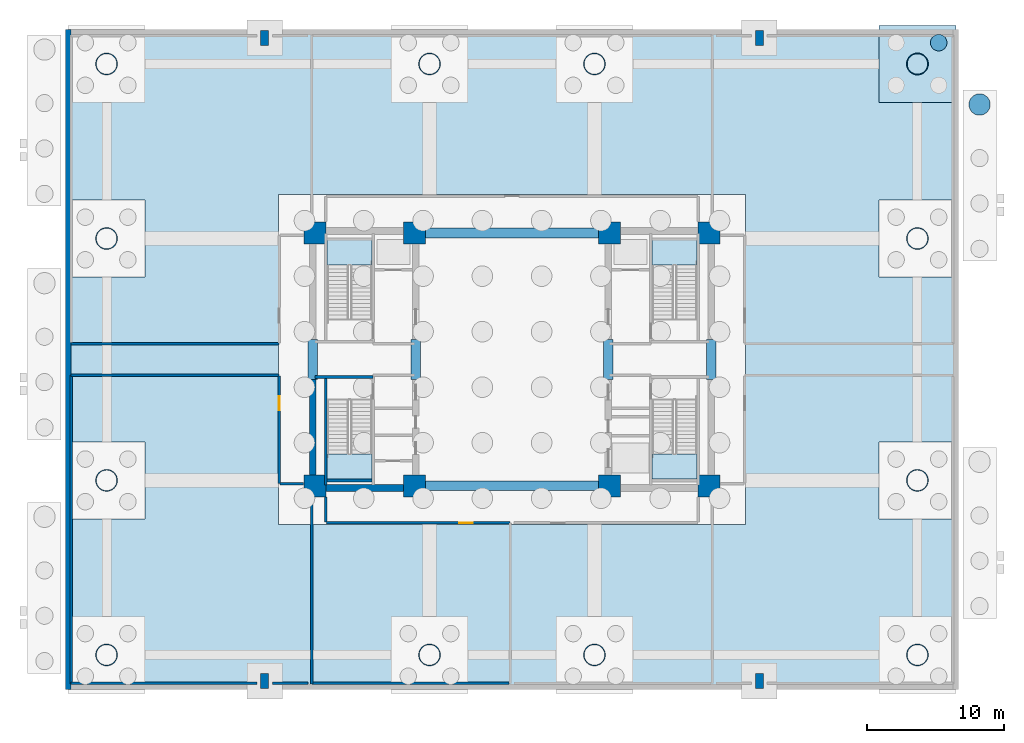
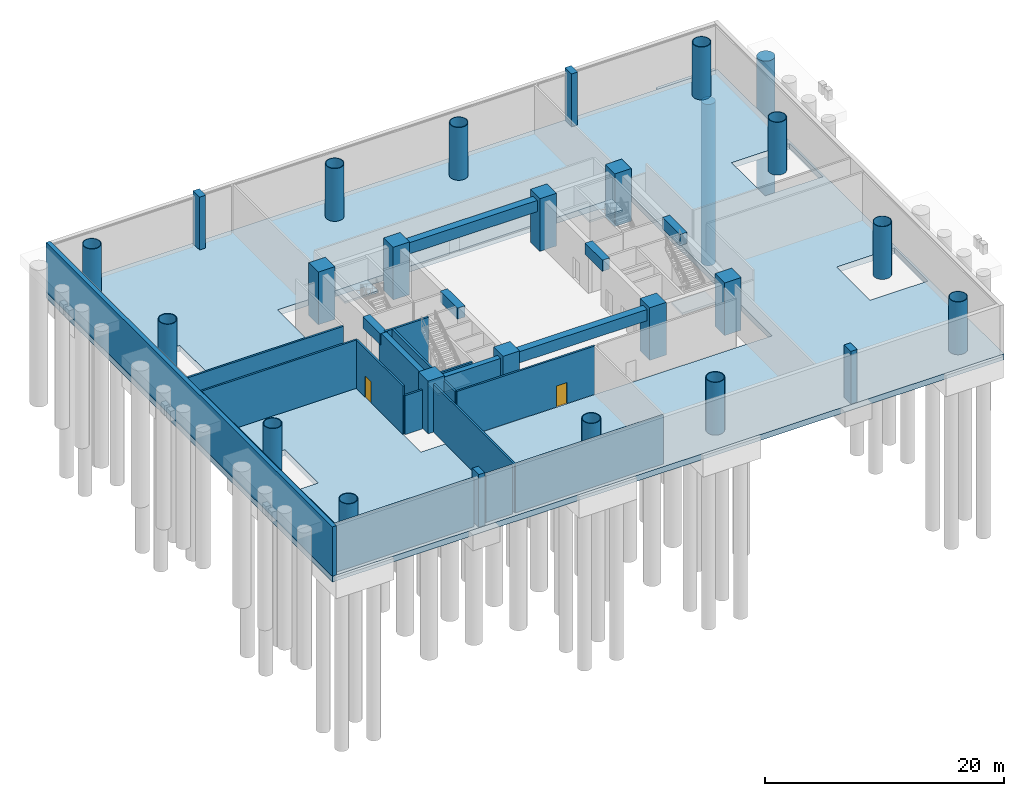
# One storey, part 2 of 7: 24 columns, 17 walls, 6 beams, 5 slabs, 2 doors, 2 piles, 1 footing, 2 openings, 4 elements without a shape of their own.
"""IFC4 building model written with IfcOpenShell, lengths in metres."""

from ifc_helpers import new_model, si_unit, direction, frame, frame_2d, origin, origin_2d, place, context, subcontext, project, spatial, polyline, rectangle, circle, hollow_circle, outline, extrude, source, transform, mapped, material, layer, layer_set, material_profile, profile_set, type_object, element, fill, aggregate, save


model = new_model("IFC4")

# Units and contexts
model_context = context("Model", 3, precision=1e-05, world=origin(), true_north=direction((0.0, 1.0)))
body_context = subcontext(model_context, "Body", "Model", "MODEL_VIEW")
ifc_project = project(units=[si_unit("LENGTHUNIT", "METRE"), si_unit("AREAUNIT", "SQUARE_METRE"), si_unit("VOLUMEUNIT", "CUBIC_METRE"), si_unit("PLANEANGLEUNIT", "RADIAN"), si_unit("MASSUNIT", "GRAM", prefix="KILO")], contexts=[model_context])

# Site, building, storey
site_placement = place(None, origin())
site = spatial("IfcSite", under=ifc_project, at=site_placement, CompositionType="ELEMENT")
building_placement = place(site_placement, origin())
building = spatial("IfcBuilding", under=site, at=building_placement, Name="Zahravan Cultural Tower", CompositionType="ELEMENT")
storey_placement = place(building_placement, frame((0.0, 0.0, -5.39990234375)))
storey = spatial("IfcBuildingStorey", under=building, at=storey_placement, Name="B1", CompositionType="ELEMENT", Elevation=-5.39990234375)

# Piles
ifc_material_1 = material(Name="Concrete C45/55", Category="concrete")
ifc_material_profile_1 = material_profile(ifc_material_1, circle(Radius=0.60009765625, at=origin_2d()), Name="PILE-D1200")
ifc_profile_set_1 = profile_set([ifc_material_profile_1], Name="Concrete C45/55")
pile_type_1 = type_object("IfcPileType", Name="PILE-BORED-1200", PredefinedType="BORED", material=ifc_profile_set_1)
pile_1_placement = place(storey_placement, frame((67.050048828125, 50.050048828125, -2.10009765625), z_axis=(0.0, 0.0, -1.0), x_axis=(1.0, 0.0, 0.0)))
element("IfcPile", 1, at=pile_1_placement, inside=storey, type_object=pile_type_1, Name="Cap Bored Pile C48", PredefinedType="BORED", context=body_context, shape_type="SweptSolid", body=[
    extrude(circle(Radius=0.60009765625, at=origin_2d()), origin(), (0.0, 0.0, 1.0), 16.5),
])
ifc_material_profile_2 = material_profile(ifc_material_1, circle(Radius=0.77490234375, at=origin_2d()), Name="PILE-D1550")
ifc_profile_set_2 = profile_set([ifc_material_profile_2], Name="Concrete C45/55")
pile_type_2 = type_object("IfcPileType", Name="PILE-BORED-1550", PredefinedType="BORED", material=ifc_profile_set_2)
pile_2_placement = place(storey_placement, frame((70.02001953125, 45.550048828125, 4.14990234375), z_axis=(0.0, 0.0, -1.0), x_axis=(1.0, 0.0, 0.0)))
element("IfcPile", 2, at=pile_2_placement, inside=storey, type_object=pile_type_2, Name="Ramp Flight Cap Pile RMP-5-4", PredefinedType="BORED", context=body_context, shape_type="SweptSolid", body=[
    extrude(circle(Radius=0.77490234375, at=origin_2d()), origin(), (0.0, 0.0, 1.0), 14.0),
])

# Footing
ifc_material_2 = material(Name="Concrete C50/60", Category="concrete")
ifc_layer_1 = layer(ifc_material_2, 2.199951171875)
ifc_layer_set_1 = layer_set([ifc_layer_1], Name="Concrete C50/60")
footing_type = type_object("IfcFootingType", Name="FT-PC-5600X2200", PredefinedType="PILE_CAP", material=ifc_layer_set_1)
shared_shape_1 = source(origin(), body_context, "Body", "SweptSolid", [
    extrude(rectangle(XDim=5.60009765625, YDim=5.60009765625, at=origin_2d()), origin(), (0.0, 0.0, 1.0), 2.199951171875),
])
footing_placement = place(storey_placement, frame((65.5, 48.5, -2.2001953125), z_axis=(0.0, 0.0, 1.0), x_axis=(1.0, 0.0, 0.0)))
element("IfcFooting", 3, at=footing_placement, inside=storey, type_object=footing_type, Name="Pilotis Combined Pile Cap PC-12", PredefinedType="PILE_CAP", context=body_context, shape_type="MappedRepresentation", body=[
    mapped(shared_shape_1, transform((0.0, 0.0, 0.0), x_axis=(1.0, 0.0, 0.0), y_axis=(0.0, 1.0, 0.0), z_axis=(0.0, 0.0, 1.0), scale=1.0)),
])

# Columns
ifc_material_3 = material(Name="Concrete C60/75", Category="concrete")
ifc_material_profile_3 = material_profile(ifc_material_3, rectangle(XDim=1.60009765625, YDim=1.60009765625, at=origin_2d()), Name="RC1600X1600")
ifc_profile_set_3 = profile_set([ifc_material_profile_3], Name="Concrete C60/75")
column_type_1 = type_object("IfcColumnType", Name="COL-RC1600", PredefinedType="COLUMN", material=ifc_profile_set_3)
shared_shape_2 = source(origin(), body_context, "Body", "SweptSolid", [
    extrude(rectangle(XDim=1.60009765625, YDim=1.60009765625, at=origin_2d()), origin(), (0.0, 0.0, 1.0), 5.39990234375),
])
for number, where, z_axis, x_axis, name in (
    (4, (21.64990234375, 17.800048828125, 0.0), (0.0, 0.0, 1.0), (1.0, 0.0, 0.0), "B1 Column CC-W1"),
    (5, (28.89990234375, 17.800048828125, 0.0), (0.0, 0.0, 1.0), (1.0, 0.0, 0.0), "B1 Column CC-W2"),
    (6, (21.64990234375, 36.199951171875, 0.0), (0.0, 0.0, 1.0), (1.0, 0.0, 0.0), "B1 Column CC-W3"),
    (7, (28.89990234375, 36.199951171875, 0.0), (0.0, 0.0, 1.0), (1.0, 0.0, 0.0), "B1 Column CC-W4"),
    (8, (43.10009765625, 17.800048828125, 0.0), (0.0, 0.0, 1.0), (1.0, 0.0, 0.0), "B1 Column CC-E1"),
    (9, (50.35009765625, 17.800048828125, 0.0), (0.0, 0.0, 1.0), (1.0, 0.0, 0.0), "B1 Column CC-E2"),
    (10, (43.10009765625, 36.199951171875, 0.0), (0.0, 0.0, 1.0), (1.0, 0.0, 0.0), "B1 Column CC-E3"),
    (11, (50.35009765625, 36.199951171875, 0.0), (0.0, 0.0, 1.0), (1.0, 0.0, 0.0), "B1 Column CC-E4"),
):
    element("IfcColumn", number, at=place(storey_placement, frame(where, z_axis=z_axis, x_axis=x_axis)), inside=storey, type_object=column_type_1, Name=name, PredefinedType="COLUMN", context=body_context, shape_type="MappedRepresentation", body=[
        mapped(shared_shape_2, transform((0.0, 0.0, 0.0), x_axis=(1.0, 0.0, 0.0), y_axis=(0.0, 1.0, 0.0), z_axis=(0.0, 0.0, 1.0), scale=1.0)),
    ])
ifc_material_4 = material(Name="Steel ASTM A572 Grade 50", Category="steel")
ifc_material_profile_4 = material_profile(ifc_material_4, hollow_circle(Radius=0.800048828125, WallThickness=0.06005859375, at=origin_2d()), Name="CHS1600X60")
ifc_profile_set_4 = profile_set([ifc_material_profile_4], Name="Steel ASTM A572 Grade 50")
column_type_2 = type_object("IfcColumnType", Name="COL-STILT-1600", PredefinedType="COLUMN", material=ifc_profile_set_4)
shared_shape_3 = source(origin(), body_context, "Body", "SweptSolid", [
    extrude(hollow_circle(Radius=0.800048828125, WallThickness=0.06005859375, at=origin_2d()), origin(), (0.0, 0.0, 1.0), 5.39990234375),
])
for number, where, z_axis, x_axis, name in (
    (12, (6.5, 5.5, 0.0), (0.0, 0.0, 1.0), (1.0, 0.0, 0.0), "B1 Column PC-01"),
    (13, (30.0, 5.5, 0.0), (0.0, 0.0, 1.0), (1.0, 0.0, 0.0), "B1 Column PC-02"),
    (14, (42.0, 5.5, 0.0), (0.0, 0.0, 1.0), (1.0, 0.0, 0.0), "B1 Column PC-03"),
    (15, (65.5, 5.5, 0.0), (0.0, 0.0, 1.0), (1.0, 0.0, 0.0), "B1 Column PC-04"),
    (16, (6.5, 18.199951171875, 0.0), (0.0, 0.0, 1.0), (1.0, 0.0, 0.0), "B1 Column PC-05"),
    (17, (65.5, 18.199951171875, 0.0), (0.0, 0.0, 1.0), (1.0, 0.0, 0.0), "B1 Column PC-06"),
    (18, (6.5, 35.800048828125, 0.0), (0.0, 0.0, 1.0), (1.0, 0.0, 0.0), "B1 Column PC-07"),
    (19, (65.5, 35.800048828125, 0.0), (0.0, 0.0, 1.0), (1.0, 0.0, 0.0), "B1 Column PC-08"),
    (20, (6.5, 48.5, 0.0), (0.0, 0.0, 1.0), (1.0, 0.0, 0.0), "B1 Column PC-09"),
    (21, (30.0, 48.5, 0.0), (0.0, 0.0, 1.0), (1.0, 0.0, 0.0), "B1 Column PC-10"),
    (22, (42.0, 48.5, 0.0), (0.0, 0.0, 1.0), (1.0, 0.0, 0.0), "B1 Column PC-11"),
    (23, (65.5, 48.5, 0.0), (0.0, 0.0, 1.0), (1.0, 0.0, 0.0), "B1 Column PC-12"),
):
    element("IfcColumn", number, at=place(storey_placement, frame(where, z_axis=z_axis, x_axis=x_axis)), inside=storey, type_object=column_type_2, Name=name, PredefinedType="COLUMN", context=body_context, shape_type="MappedRepresentation", body=[
        mapped(shared_shape_3, transform((0.0, 0.0, 0.0), x_axis=(1.0, 0.0, 0.0), y_axis=(0.0, 1.0, 0.0), z_axis=(0.0, 0.0, 1.0), scale=1.0)),
    ])
ifc_material_profile_5 = material_profile(ifc_material_2, rectangle(XDim=0.60009765625, YDim=1.10009765625, at=origin_2d()), Name="RC600X1100")
ifc_profile_set_5 = profile_set([ifc_material_profile_5], Name="Concrete C50/60")
column_type_3 = type_object("IfcColumnType", Name="PIL-RC600X1100", PredefinedType="PILASTER", material=ifc_profile_set_5)
shared_shape_4 = source(origin(), body_context, "Body", "SweptSolid", [
    extrude(rectangle(XDim=0.60009765625, YDim=1.10009765625, at=origin_2d()), origin(), (0.0, 0.0, 1.0), 5.39990234375),
])
for number, where, z_axis, x_axis, name in (
    (24, (18.0, 3.60009765625, 0.0), (0.0, 0.0, 1.0), (1.0, 0.0, 0.0), "B1 Engaged Pilaster S1"),
    (25, (54.0, 3.60009765625, 0.0), (0.0, 0.0, 1.0), (1.0, 0.0, 0.0), "B1 Engaged Pilaster S2"),
    (26, (18.0, 50.39990234375, 0.0), (0.0, 0.0, 1.0), (1.0, 0.0, 0.0), "B1 Engaged Pilaster N1"),
    (27, (54.0, 50.39990234375, 0.0), (0.0, 0.0, 1.0), (1.0, 0.0, 0.0), "B1 Engaged Pilaster N2"),
):
    element("IfcColumn", number, at=place(storey_placement, frame(where, z_axis=z_axis, x_axis=x_axis)), inside=storey, type_object=column_type_3, Name=name, PredefinedType="PILASTER", context=body_context, shape_type="MappedRepresentation", body=[
        mapped(shared_shape_4, transform((0.0, 0.0, 0.0), x_axis=(1.0, 0.0, 0.0), y_axis=(0.0, 1.0, 0.0), z_axis=(0.0, 0.0, 1.0), scale=1.0)),
    ])

# Beams
ifc_material_profile_6 = material_profile(ifc_material_2, rectangle(XDim=0.699951171875, YDim=1.14990234375, at=origin_2d()), Name="RC700X1150")
ifc_profile_set_6 = profile_set([ifc_material_profile_6], Name="Concrete C50/60")
beam_type = type_object("IfcBeamType", Name="BM-LN-RC700X1150", PredefinedType="LINTEL", material=ifc_profile_set_6)
shared_shape_5 = source(origin(), body_context, "Body", "SweptSolid", [
    extrude(rectangle(XDim=0.699951171875, YDim=1.14990234375, at=origin_2d()), origin(), (0.0, 0.0, 1.0), 14.2001953125),
])
for number, where, z_axis, x_axis, name in (
    (28, (28.89990234375, 17.800048828125, 4.375), (1.0, 0.0, 0.0), (0.0, 1.0, 0.0), "B1 Beam LN-B1-S"),
    (29, (28.89990234375, 36.199951171875, 4.375), (1.0, 0.0, 0.0), (0.0, 1.0, 0.0), "B1 Beam LN-B1-N"),
):
    element("IfcBeam", number, at=place(storey_placement, frame(where, z_axis=z_axis, x_axis=x_axis)), inside=storey, type_object=beam_type, Name=name, PredefinedType="LINTEL", context=body_context, shape_type="MappedRepresentation", body=[
        mapped(shared_shape_5, transform((0.0, 0.0, 0.0), x_axis=(1.0, 0.0, 0.0), y_axis=(0.0, 1.0, 0.0), z_axis=(0.0, 0.0, 1.0), scale=1.0)),
    ])
shared_shape_6 = source(origin(), body_context, "Body", "SweptSolid", [
    extrude(rectangle(XDim=0.699951171875, YDim=1.14990234375, at=origin_2d()), origin(), (0.0, 0.0, 1.0), 2.89990234375),
])
for number, where, z_axis, x_axis, name in (
    (30, (21.5, 25.550048828125, 4.375), (0.0, 1.0, 0.0), (-1.0, 0.0, 0.0), "B1 Beam LN-B1-PWW"),
    (31, (29.0, 25.550048828125, 4.375), (0.0, 1.0, 0.0), (-1.0, 0.0, 0.0), "B1 Beam LN-B1-PWE"),
    (32, (43.0, 25.550048828125, 4.375), (0.0, 1.0, 0.0), (-1.0, 0.0, 0.0), "B1 Beam LN-B1-PEW"),
    (33, (50.5, 25.550048828125, 4.375), (0.0, 1.0, 0.0), (-1.0, 0.0, 0.0), "B1 Beam LN-B1-PEE"),
):
    element("IfcBeam", number, at=place(storey_placement, frame(where, z_axis=z_axis, x_axis=x_axis)), inside=storey, type_object=beam_type, Name=name, PredefinedType="LINTEL", context=body_context, shape_type="MappedRepresentation", body=[
        mapped(shared_shape_6, transform((0.0, 0.0, 0.0), x_axis=(1.0, 0.0, 0.0), y_axis=(0.0, 1.0, 0.0), z_axis=(0.0, 0.0, 1.0), scale=1.0)),
    ])

# Slab
ifc_layer_2 = layer(ifc_material_2, 0.60009765625)
ifc_layer_set_2 = layer_set([ifc_layer_2], Name="Concrete C50/60")
slab_type_1 = type_object("IfcSlabType", Name="SL-BASE-600", PredefinedType="BASESLAB", material=ifc_layer_set_2)
slab_1_placement = place(storey_placement, frame((0.0, 0.0, -0.60009765625)))
element("IfcSlab", 34, at=slab_1_placement, inside=storey, type_object=slab_type_1, Name="B1 Conservation Basement Base Slab", PredefinedType="BASESLAB", context=body_context, shape_type="SweptSolid", body=[
    extrude(outline(polyline([(68.5, 3.0), (68.5, 51.0), (3.5, 51.0), (3.5, 3.0), (68.5, 3.0)]), holes=[polyline([(9.300048828125, 21.0), (3.699951171875, 21.0), (3.699951171875, 15.39990234375), (9.300048828125, 15.39990234375), (9.300048828125, 21.0)]), polyline([(53.0, 39.0), (19.0, 39.0), (19.0, 15.0), (53.0, 15.0), (53.0, 39.0)]), polyline([(9.300048828125, 38.60009765625), (3.699951171875, 38.60009765625), (3.699951171875, 33.0), (9.300048828125, 33.0), (9.300048828125, 38.60009765625)]), polyline([(68.300048828125, 21.0), (62.699951171875, 21.0), (62.699951171875, 15.39990234375), (68.300048828125, 15.39990234375), (68.300048828125, 21.0)]), polyline([(68.300048828125, 38.60009765625), (62.699951171875, 38.60009765625), (62.699951171875, 33.0), (68.300048828125, 33.0), (68.300048828125, 38.60009765625)])]), origin(), (0.0, 0.0, 1.0), 0.60009765625),
])

# Stair, slab
stair_type = type_object("IfcStairType", Name="STR-DL-1550-540", PredefinedType="HALF_TURN_STAIR", material=ifc_material_1)
stair_1_placement = place(storey_placement, origin())
stair_1 = element("IfcStair", 35, at=stair_1_placement, inside=storey, type_object=stair_type, Name="B1 West Core North Exit Stair ST-W1", PredefinedType="HALF_TURN_STAIR")
ifc_layer_3 = layer(ifc_material_1, 0.199951171875)
ifc_layer_set_3 = layer_set([ifc_layer_3], Name="Concrete C45/55")
slab_type_2 = type_object("IfcSlabType", Name="SL-STAIR-LND200", PredefinedType="LANDING", material=ifc_layer_set_3)
slab_2_placement = place(storey_placement, frame((0.0, 0.0, 2.5)))
slab_2 = element("IfcSlab", 36, at=slab_2_placement, type_object=slab_type_2, Name="ST-W1 landing 1", PredefinedType="LANDING", context=body_context, shape_type="SweptSolid", body=[
    extrude(outline(polyline([(25.800048828125, 33.8701171875), (25.800048828125, 35.699951171875), (22.550048828125, 35.699951171875), (22.550048828125, 33.8701171875), (25.800048828125, 33.8701171875)])), origin(), (0.0, 0.0, 1.0), 0.199951171875),
])
aggregate(stair_1, [slab_2])

stair_2_placement = place(storey_placement, origin())
stair_2 = element("IfcStair", 37, at=stair_2_placement, inside=storey, type_object=stair_type, Name="B1 West Core South Exit Stair ST-W2", PredefinedType="HALF_TURN_STAIR")
slab_3_placement = place(storey_placement, frame((0.0, 0.0, 2.5)))
slab_3 = element("IfcSlab", 38, at=slab_3_placement, type_object=slab_type_2, Name="ST-W2 landing 1", PredefinedType="LANDING", context=body_context, shape_type="SweptSolid", body=[
    extrude(outline(polyline([(22.550048828125, 20.1298828125), (22.550048828125, 18.300048828125), (25.800048828125, 18.300048828125), (25.800048828125, 20.1298828125), (22.550048828125, 20.1298828125)])), origin(), (0.0, 0.0, 1.0), 0.199951171875),
])
aggregate(stair_2, [slab_3])

stair_3_placement = place(storey_placement, origin())
stair_3 = element("IfcStair", 39, at=stair_3_placement, inside=storey, type_object=stair_type, Name="B1 East Core North Exit Stair ST-E1", PredefinedType="HALF_TURN_STAIR")
slab_4_placement = place(storey_placement, frame((0.0, 0.0, 2.5)))
slab_4 = element("IfcSlab", 40, at=slab_4_placement, type_object=slab_type_2, Name="ST-E1 landing 1", PredefinedType="LANDING", context=body_context, shape_type="SweptSolid", body=[
    extrude(outline(polyline([(49.449951171875, 33.8701171875), (49.449951171875, 35.699951171875), (46.199951171875, 35.699951171875), (46.199951171875, 33.8701171875), (49.449951171875, 33.8701171875)])), origin(), (0.0, 0.0, 1.0), 0.199951171875),
])
aggregate(stair_3, [slab_4])

stair_4_placement = place(storey_placement, origin())
stair_4 = element("IfcStair", 41, at=stair_4_placement, inside=storey, type_object=stair_type, Name="B1 East Core South Exit Stair ST-E2", PredefinedType="HALF_TURN_STAIR")
slab_5_placement = place(storey_placement, frame((0.0, 0.0, 2.5)))
slab_5 = element("IfcSlab", 42, at=slab_5_placement, type_object=slab_type_2, Name="ST-E2 landing 1", PredefinedType="LANDING", context=body_context, shape_type="SweptSolid", body=[
    extrude(outline(polyline([(46.199951171875, 20.1298828125), (46.199951171875, 18.300048828125), (49.449951171875, 18.300048828125), (49.449951171875, 20.1298828125), (46.199951171875, 20.1298828125)])), origin(), (0.0, 0.0, 1.0), 0.199951171875),
])
aggregate(stair_4, [slab_5])

# Wall, opening, door
ifc_material_5 = material(Name="Gypsum plasterboard partition")
ifc_layer_4 = layer(ifc_material_5, 0.179931640625)
ifc_layer_set_4 = layer_set([ifc_layer_4], Name="Gypsum plasterboard partition")
wall_type_1 = type_object("IfcWallType", Name="W-COMP-180", PredefinedType="PARTITIONING", material=ifc_layer_set_4)
wall_1_placement = place(storey_placement, frame((22.490966796875, 15.11181640625, 0.0), z_axis=(0.0, 0.0, 1.0), x_axis=(0.99999999183, -0.000127830532, 0.0)))
wall_1 = element("IfcWall", 43, at=wall_1_placement, inside=storey, type_object=wall_type_1, Name="B1 Interior Wall 030", PredefinedType="PARTITIONING", context=body_context, shape_type="SweptSolid", body=[
    extrude(rectangle(XDim=13.369140625, YDim=0.179931640625, at=frame_2d((6.6845703125, 0.0))), origin(), (0.0, 0.0, 1.0), 4.949951171875),
])
opening_1_placement = place(wall_1_placement, frame((9.661865234375, 0.0, 0.0)))
opening_1 = element("IfcOpeningElement", 44, at=opening_1_placement, cuts=wall_1, Name="Opening D-B1-16", PredefinedType="OPENING", context=body_context, shape_type="SweptSolid", body=[
    extrude(rectangle(XDim=1.0, YDim=2.14990234375, at=frame_2d((0.5, 1.074951171875))), frame((0.0, 0.099853515625, 0.0), z_axis=(0.0, -1.0, 0.0), x_axis=(1.0, 0.0, 0.0)), (0.0, 0.0, 1.0), 0.199951171875),
])
door_type = type_object("IfcDoorType", Name="DR-COMP-1000", OperationType="NOTDEFINED", PredefinedType="DOOR", material=ifc_material_4)
shared_shape_7 = source(origin(), body_context, "Body", "SweptSolid", [
    extrude(rectangle(XDim=1.0, YDim=2.14990234375, at=frame_2d((0.5, 1.074951171875))), frame((0.0, 0.02490234375, 0.0), z_axis=(0.0, -1.0, 0.0), x_axis=(1.0, 0.0, 0.0)), (0.0, 0.0, 1.0), 0.050048828125),
])
door_1_placement = place(opening_1_placement, origin())
door_1 = element("IfcDoor", 45, at=door_1_placement, inside=storey, type_object=door_type, Name="B1 Door D-B1-16", OperationType="SINGLE_SWING_LEFT", OverallHeight=2.14990234375, OverallWidth=1.0, PredefinedType="DOOR", context=body_context, shape_type="MappedRepresentation", body=[
    mapped(shared_shape_7, transform((0.0, 0.0, 0.0), x_axis=(1.0, 0.0, 0.0), y_axis=(0.0, 1.0, 0.0), z_axis=(0.0, 0.0, 1.0), scale=1.0)),
])
fill(opening_1, door_1)

wall_2_placement = place(storey_placement, frame((19.06005859375, 25.800048828125, 0.0), z_axis=(0.0, 0.0, 1.0), x_axis=(0.000250109415, -0.999999968723, 0.0)))
wall_2 = element("IfcWall", 46, at=wall_2_placement, inside=storey, type_object=wall_type_1, Name="B1 Interior Wall 048", PredefinedType="PARTITIONING", context=body_context, shape_type="SweptSolid", body=[
    extrude(rectangle(XDim=7.80908203125, YDim=0.179931640625, at=frame_2d((3.904541015625, 0.0))), origin(), (0.0, 0.0, 1.0), 4.949951171875),
])
opening_2_placement = place(wall_2_placement, frame((1.48388671875, 0.0, 0.0)))
opening_2 = element("IfcOpeningElement", 47, at=opening_2_placement, cuts=wall_2, Name="Opening D-B1-13", PredefinedType="OPENING", context=body_context, shape_type="SweptSolid", body=[
    extrude(rectangle(XDim=1.0, YDim=2.14990234375, at=frame_2d((0.5, 1.074951171875))), frame((0.0, 0.099853515625, 0.0), z_axis=(0.0, -1.0, 0.0), x_axis=(1.0, 0.0, 0.0)), (0.0, 0.0, 1.0), 0.199951171875),
])
door_2_placement = place(opening_2_placement, origin())
door_2 = element("IfcDoor", 48, at=door_2_placement, inside=storey, type_object=door_type, Name="B1 Door D-B1-13", OperationType="SINGLE_SWING_RIGHT", OverallHeight=2.14990234375, OverallWidth=1.0, PredefinedType="DOOR", context=body_context, shape_type="MappedRepresentation", body=[
    mapped(shared_shape_7, transform((0.0, 0.0, 0.0), x_axis=(1.0, 0.0, 0.0), y_axis=(0.0, 1.0, 0.0), z_axis=(0.0, 0.0, 1.0), scale=1.0)),
])
fill(opening_2, door_2)

# Walls
ifc_layer_5 = layer(ifc_material_2, 0.39990234375)
ifc_layer_set_5 = layer_set([ifc_layer_5], Name="Concrete C50/60")
wall_type_2 = type_object("IfcWallType", Name="W-RET-400-C50", PredefinedType="SHEAR", material=ifc_layer_set_5)
shared_shape_8 = source(origin(), body_context, "Body", "SweptSolid", [
    extrude(rectangle(XDim=48.0, YDim=0.39990234375, at=frame_2d((24.0, 0.0))), origin(), (0.0, 0.0, 1.0), 5.0498046875),
])
wall_3_placement = place(storey_placement, frame((3.699951171875, 3.0, 0.0), z_axis=(0.0, 0.0, 1.0), x_axis=(0.0, 1.0, 0.0)))
element("IfcWall", 49, at=wall_3_placement, inside=storey, type_object=wall_type_2, Name="B1 Retaining Wall CW-B1-RET-W", PredefinedType="SHEAR", context=body_context, shape_type="MappedRepresentation", body=[
    mapped(shared_shape_8, transform((0.0, 0.0, 0.0), x_axis=(1.0, 0.0, 0.0), y_axis=(0.0, 1.0, 0.0), z_axis=(0.0, 0.0, 1.0), scale=1.0)),
])
ifc_layer_6 = layer(ifc_material_3, 0.5)
ifc_layer_set_6 = layer_set([ifc_layer_6], Name="Concrete C60/75")
wall_type_3 = type_object("IfcWallType", Name="CW-SHEAR-500-C60", PredefinedType="SHEAR", material=ifc_layer_set_6)
shared_shape_9 = source(origin(), body_context, "Body", "SweptSolid", [
    extrude(rectangle(XDim=8.550048828125, YDim=0.5, at=frame_2d((4.27490234375, 0.0))), origin(), (0.0, 0.0, 1.0), 4.949951171875),
])
wall_4_placement = place(storey_placement, frame((21.5, 17.39990234375, 0.0), z_axis=(0.0, 0.0, 1.0), x_axis=(0.0, 1.0, 0.0)))
element("IfcWall", 50, at=wall_4_placement, inside=storey, type_object=wall_type_3, Name="B1 Core Shear Wall CW-W-WS-B1", PredefinedType="SHEAR", context=body_context, shape_type="MappedRepresentation", body=[
    mapped(shared_shape_9, transform((0.0, 0.0, 0.0), x_axis=(1.0, 0.0, 0.0), y_axis=(0.0, 1.0, 0.0), z_axis=(0.0, 0.0, 1.0), scale=1.0)),
])
shared_shape_10 = source(origin(), body_context, "Body", "SweptSolid", [
    extrude(rectangle(XDim=7.0, YDim=0.5, at=frame_2d((3.5, 0.0))), origin(), (0.0, 0.0, 1.0), 4.949951171875),
])
wall_5_placement = place(storey_placement, frame((21.75, 17.64990234375, 0.0), z_axis=(0.0, 0.0, 1.0), x_axis=(1.0, 0.0, 0.0)))
element("IfcWall", 51, at=wall_5_placement, inside=storey, type_object=wall_type_3, Name="B1 Core Shear Wall CW-W-S-B1", PredefinedType="SHEAR", context=body_context, shape_type="MappedRepresentation", body=[
    mapped(shared_shape_10, transform((0.0, 0.0, 0.0), x_axis=(1.0, 0.0, 0.0), y_axis=(0.0, 1.0, 0.0), z_axis=(0.0, 0.0, 1.0), scale=1.0)),
])
ifc_layer_7 = layer(ifc_material_1, 0.199951171875)
ifc_layer_set_7 = layer_set([ifc_layer_7], Name="Concrete C45/55")
wall_type_4 = type_object("IfcWallType", Name="W-SHAFT-200", PredefinedType="SOLIDWALL", material=ifc_layer_set_7)
shared_shape_11 = source(origin(), body_context, "Body", "SweptSolid", [
    extrude(rectangle(XDim=7.869873046875, YDim=0.199951171875, at=frame_2d((3.93505859375, 0.0))), origin(), (0.0, 0.0, 1.0), 4.949951171875),
])
wall_6_placement = place(storey_placement, frame((22.449951171875, 17.85009765625, 0.0), z_axis=(0.0, 0.0, 1.0), x_axis=(0.0, 1.0, 0.0)))
element("IfcWall", 52, at=wall_6_placement, inside=storey, type_object=wall_type_4, Name="B1 Interior Wall 001", PredefinedType="SOLIDWALL", context=body_context, shape_type="MappedRepresentation", body=[
    mapped(shared_shape_11, transform((0.0, 0.0, 0.0), x_axis=(1.0, 0.0, 0.0), y_axis=(0.0, 1.0, 0.0), z_axis=(0.0, 0.0, 1.0), scale=1.0)),
])
shared_shape_12 = source(origin(), body_context, "Body", "SweptSolid", [
    extrude(rectangle(XDim=4.25, YDim=0.199951171875, at=frame_2d((2.125, 0.0))), origin(), (0.0, 0.0, 1.0), 4.949951171875),
])
wall_7_placement = place(storey_placement, frame((21.64990234375, 25.715087890625, 0.0), z_axis=(0.0, 0.0, 1.0), x_axis=(1.0, 0.0, 0.0)))
element("IfcWall", 53, at=wall_7_placement, inside=storey, type_object=wall_type_4, Name="B1 Interior Wall 009", PredefinedType="SOLIDWALL", context=body_context, shape_type="MappedRepresentation", body=[
    mapped(shared_shape_12, transform((0.0, 0.0, 0.0), x_axis=(1.0, 0.0, 0.0), y_axis=(0.0, 1.0, 0.0), z_axis=(0.0, 0.0, 1.0), scale=1.0)),
])
shared_shape_13 = source(origin(), body_context, "Body", "SweptSolid", [
    extrude(rectangle(XDim=3.25, YDim=0.199951171875, at=frame_2d((1.625, 0.0))), origin(), (0.0, 0.0, 1.0), 4.949951171875),
])
wall_8_placement = place(storey_placement, frame((22.550048828125, 18.199951171875, 0.0), z_axis=(0.0, 0.0, 1.0), x_axis=(1.0, 0.0, 0.0)))
element("IfcWall", 54, at=wall_8_placement, inside=storey, type_object=wall_type_4, Name="B1 Interior Wall 019", PredefinedType="SOLIDWALL", context=body_context, shape_type="MappedRepresentation", body=[
    mapped(shared_shape_13, transform((0.0, 0.0, 0.0), x_axis=(1.0, 0.0, 0.0), y_axis=(0.0, 1.0, 0.0), z_axis=(0.0, 0.0, 1.0), scale=1.0)),
])
shared_shape_14 = source(origin(), body_context, "Body", "SweptSolid", [
    extrude(rectangle(XDim=1.823974609375, YDim=0.179931640625, at=frame_2d((0.912109375, 0.0))), origin(), (0.0, 0.0, 1.0), 4.949951171875),
])
wall_9_placement = place(storey_placement, frame((22.4599609375, 16.97998046875, 0.0), z_axis=(0.0, 0.0, 1.0), x_axis=(0.0, -1.0, 0.0)))
element("IfcWall", 55, at=wall_9_placement, inside=storey, type_object=wall_type_1, Name="B1 Interior Wall 029", PredefinedType="PARTITIONING", context=body_context, shape_type="MappedRepresentation", body=[
    mapped(shared_shape_14, transform((0.0, 0.0, 0.0), x_axis=(1.0, 0.0, 0.0), y_axis=(0.0, 1.0, 0.0), z_axis=(0.0, 0.0, 1.0), scale=1.0)),
])
shared_shape_15 = source(origin(), body_context, "Body", "SweptSolid", [
    extrude(rectangle(XDim=14.324951171875, YDim=0.179931640625, at=frame_2d((7.16259765625, 0.0))), origin(), (0.0, 0.0, 1.0), 4.949951171875),
])
wall_10_placement = place(storey_placement, frame((35.764892578125, 3.43994140625, 0.0), z_axis=(0.0, 0.0, 1.0), x_axis=(-1.0, 0.0, 0.0)))
element("IfcWall", 56, at=wall_10_placement, inside=storey, type_object=wall_type_1, Name="B1 Interior Wall 032", PredefinedType="PARTITIONING", context=body_context, shape_type="MappedRepresentation", body=[
    mapped(shared_shape_15, transform((0.0, 0.0, 0.0), x_axis=(1.0, 0.0, 0.0), y_axis=(0.0, 1.0, 0.0), z_axis=(0.0, 0.0, 1.0), scale=1.0)),
])
shared_shape_16 = source(origin(), body_context, "Body", "SweptSolid", [
    extrude(rectangle(XDim=13.580078125, YDim=0.179931640625, at=frame_2d((6.7900390625, 0.0))), origin(), (0.0, 0.0, 1.0), 4.949951171875),
])
wall_11_placement = place(storey_placement, frame((21.43994140625, 3.39990234375, 0.0), z_axis=(0.0, 0.0, 1.0), x_axis=(0.0, 1.0, 0.0)))
element("IfcWall", 57, at=wall_11_placement, inside=storey, type_object=wall_type_1, Name="B1 Interior Wall 033", PredefinedType="PARTITIONING", context=body_context, shape_type="MappedRepresentation", body=[
    mapped(shared_shape_16, transform((0.0, 0.0, 0.0), x_axis=(1.0, 0.0, 0.0), y_axis=(0.0, 1.0, 0.0), z_axis=(0.0, 0.0, 1.0), scale=1.0)),
])
shared_shape_17 = source(origin(), body_context, "Body", "SweptSolid", [
    extrude(rectangle(XDim=2.58984375, YDim=0.179931640625, at=frame_2d((1.294921875, 0.0))), origin(), (0.0, 0.0, 1.0), 4.949951171875),
])
wall_12_placement = place(storey_placement, frame((21.159912109375, 3.43994140625, 0.0), z_axis=(0.0, 0.0, 1.0), x_axis=(-1.0, 0.0, 0.0)))
element("IfcWall", 58, at=wall_12_placement, inside=storey, type_object=wall_type_1, Name="B1 Interior Wall 044", PredefinedType="PARTITIONING", context=body_context, shape_type="MappedRepresentation", body=[
    mapped(shared_shape_17, transform((0.0, 0.0, 0.0), x_axis=(1.0, 0.0, 0.0), y_axis=(0.0, 1.0, 0.0), z_axis=(0.0, 0.0, 1.0), scale=1.0)),
])
shared_shape_18 = source(origin(), body_context, "Body", "SweptSolid", [
    extrude(rectangle(XDim=13.530029296875, YDim=0.179931640625, at=frame_2d((6.76513671875, 0.0))), origin(), (0.0, 0.0, 1.0), 4.949951171875),
])
wall_13_placement = place(storey_placement, frame((17.429931640625, 3.43994140625, 0.0), z_axis=(0.0, 0.0, 1.0), x_axis=(-1.0, 0.0, 0.0)))
element("IfcWall", 59, at=wall_13_placement, inside=storey, type_object=wall_type_1, Name="B1 Interior Wall 045", PredefinedType="PARTITIONING", context=body_context, shape_type="MappedRepresentation", body=[
    mapped(shared_shape_18, transform((0.0, 0.0, 0.0), x_axis=(1.0, 0.0, 0.0), y_axis=(0.0, 1.0, 0.0), z_axis=(0.0, 0.0, 1.0), scale=1.0)),
])
shared_shape_19 = source(origin(), body_context, "Body", "SweptSolid", [
    extrude(rectangle(XDim=22.460205078125, YDim=0.179931640625, at=frame_2d((11.22998046875, 0.0))), origin(), (0.0, 0.0, 1.0), 4.949951171875),
])
wall_14_placement = place(storey_placement, frame((3.93994140625, 3.39990234375, 0.0), z_axis=(0.0, 0.0, 1.0), x_axis=(0.0, 1.0, 0.0)))
element("IfcWall", 60, at=wall_14_placement, inside=storey, type_object=wall_type_1, Name="B1 Interior Wall 046", PredefinedType="PARTITIONING", context=body_context, shape_type="MappedRepresentation", body=[
    mapped(shared_shape_19, transform((0.0, 0.0, 0.0), x_axis=(1.0, 0.0, 0.0), y_axis=(0.0, 1.0, 0.0), z_axis=(0.0, 0.0, 1.0), scale=1.0)),
])
shared_shape_20 = source(origin(), body_context, "Body", "SweptSolid", [
    extrude(rectangle(XDim=15.16015625, YDim=0.179931640625, at=frame_2d((7.580078125, 0.0))), origin(), (0.0, 0.0, 1.0), 4.949951171875),
])
wall_15_placement = place(storey_placement, frame((3.89990234375, 25.860107421875, 0.0), z_axis=(0.0, 0.0, 1.0), x_axis=(1.0, 0.0, 0.0)))
element("IfcWall", 61, at=wall_15_placement, inside=storey, type_object=wall_type_1, Name="B1 Interior Wall 047", PredefinedType="PARTITIONING", context=body_context, shape_type="MappedRepresentation", body=[
    mapped(shared_shape_20, transform((0.0, 0.0, 0.0), x_axis=(1.0, 0.0, 0.0), y_axis=(0.0, 1.0, 0.0), z_axis=(0.0, 0.0, 1.0), scale=1.0)),
])
shared_shape_21 = source(origin(), body_context, "Body", "SweptSolid", [
    extrude(rectangle(XDim=1.72412109375, YDim=0.179931640625, at=frame_2d((0.862060546875, 0.0))), origin(), (0.0, 0.0, 1.0), 3.991943359375),
])
wall_16_placement = place(storey_placement, frame((19.10595703125, 17.9599609375, 0.0), z_axis=(0.0, 0.0, 1.0), x_axis=(1.0, 0.0, 0.0)))
element("IfcWall", 62, at=wall_16_placement, inside=storey, type_object=wall_type_1, Name="B1 Interior Wall 049", PredefinedType="PARTITIONING", context=body_context, shape_type="MappedRepresentation", body=[
    mapped(shared_shape_21, transform((0.0, 0.0, 0.0), x_axis=(1.0, 0.0, 0.0), y_axis=(0.0, 1.0, 0.0), z_axis=(0.0, 0.0, 1.0), scale=1.0)),
])
shared_shape_22 = source(origin(), body_context, "Body", "SweptSolid", [
    extrude(rectangle(XDim=15.155029296875, YDim=0.179931640625, at=frame_2d((7.57763671875, 0.0))), origin(), (0.0, 0.0, 1.0), 4.949951171875),
])
wall_17_placement = place(storey_placement, frame((19.06005859375, 28.139892578125, 0.0), z_axis=(0.0, 0.0, 1.0), x_axis=(-1.0, 0.0, 0.0)))
element("IfcWall", 63, at=wall_17_placement, inside=storey, type_object=wall_type_1, Name="B1 Interior Wall 050", PredefinedType="PARTITIONING", context=body_context, shape_type="MappedRepresentation", body=[
    mapped(shared_shape_22, transform((0.0, 0.0, 0.0), x_axis=(1.0, 0.0, 0.0), y_axis=(0.0, 1.0, 0.0), z_axis=(0.0, 0.0, 1.0), scale=1.0)),
])

save(model, "model.ifc")
